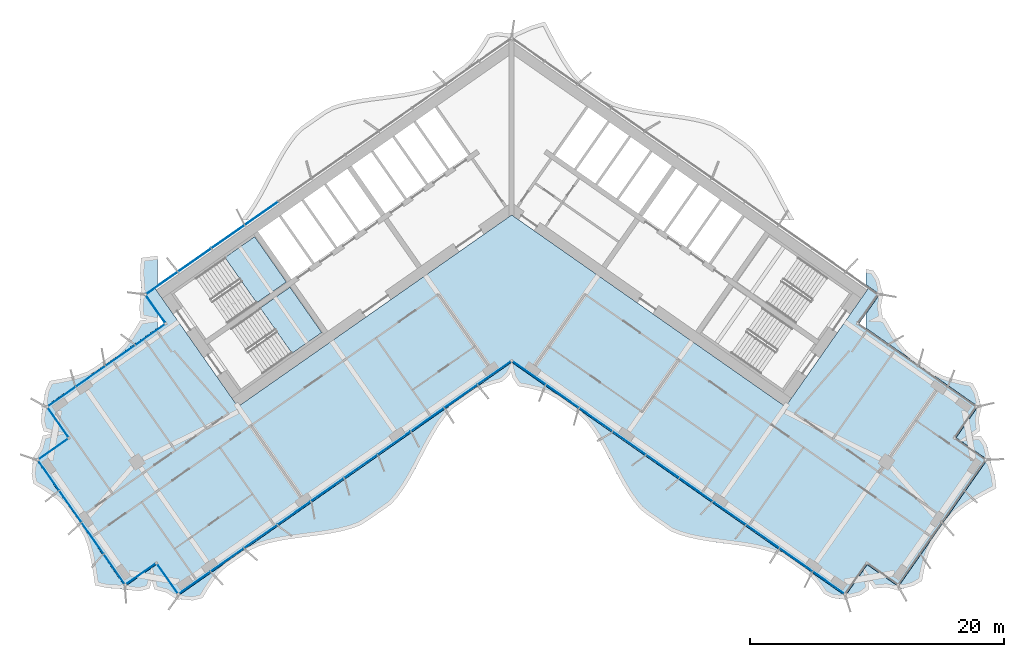
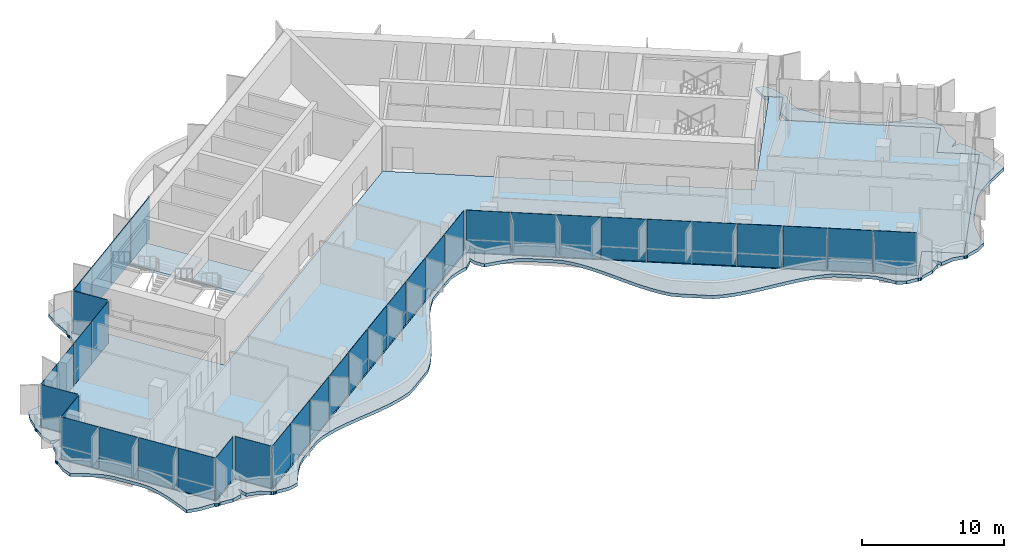
# One storey, part 12 of 23: 37 plates, 4 slabs, 4 elements without a shape of their own.
"""IFC4 building model written with IfcOpenShell, lengths in metres."""

from ifc_helpers import new_model, si_unit, direction, frame, origin, origin_2d, place, context, subcontext, project, spatial, polyline, rectangle, outline, extrude, material, layer, layer_set, type_object, element, aggregate, save


model = new_model("IFC4")

# Units and contexts
model_context = context("Model", 3, precision=1e-05, world=origin(), true_north=direction((0.0, 1.0)))
body_context = subcontext(model_context, "Body", "Model", "MODEL_VIEW")
ifc_project = project(units=[si_unit("LENGTHUNIT", "METRE"), si_unit("AREAUNIT", "SQUARE_METRE"), si_unit("VOLUMEUNIT", "CUBIC_METRE"), si_unit("PLANEANGLEUNIT", "RADIAN"), si_unit("MASSUNIT", "GRAM", prefix="KILO")], contexts=[model_context])

# Site, building, storey
site_placement = place(None, origin())
site = spatial("IfcSite", under=ifc_project, at=site_placement, CompositionType="ELEMENT")
building_placement = place(site_placement, origin())
building = spatial("IfcBuilding", under=site, at=building_placement, Name="Tel Ilan Convention Tower", CompositionType="ELEMENT")
storey_placement = place(building_placement, frame((0.0, 0.0, 171.0)))
storey = spatial("IfcBuildingStorey", under=building, at=storey_placement, Name="L39", CompositionType="ELEMENT", Elevation=171.0)

# Curtain wall, plates
ifc_material_1 = material(Name="Aluminium, bronze anodised", Category="aluminium")
curtain_wall_type_1 = type_object("IfcCurtainWallType", Name="CW4 STICK CURTAIN WALL, OFFICE TINTED GLASS", PredefinedType="NOTDEFINED", material=ifc_material_1)
curtain_wall_1_placement = place(storey_placement, origin())
curtain_wall_1 = element("IfcCurtainWall", 1, at=curtain_wall_1_placement, inside=storey, type_object=curtain_wall_type_1, Name="Curtain wall CW4-31.02", PredefinedType="NOTDEFINED")
ifc_material_2 = material(Name="Glass, bronze tinted, two-ply", Category="glass")
ifc_layer_1 = layer(ifc_material_2, 0.028076171875)
ifc_layer_set_1 = layer_set([ifc_layer_1], Name="CW GLASS PANEL 28")
plate_type_1 = type_object("IfcPlateType", Name="CW GLASS PANEL 28", PredefinedType="CURTAIN_PANEL", material=ifc_layer_set_1)
plate_1_placement = place(storey_placement, frame((-28.450927734375, -10.6435546875, 0.0), z_axis=(0.0, 0.0, 1.0), x_axis=(-0.819152044289, -0.573576436351, 0.0)))
plate_1 = element("IfcPlate", 2, at=plate_1_placement, type_object=plate_type_1, Name="Glass panel", PredefinedType="CURTAIN_PANEL", context=body_context, shape_type="SweptSolid", body=[
    extrude(rectangle(XDim=2.819091796875, YDim=0.028076171875, at=origin_2d()), origin(), (0.0, 0.0, 1.0), 3.6201171875),
])
plate_2_placement = place(storey_placement, frame((-30.79736328125, -12.28662109375, 0.0), z_axis=(0.0, 0.0, 1.0), x_axis=(-0.819152044289, -0.573576436351, 0.0)))
plate_2 = element("IfcPlate", 3, at=plate_2_placement, type_object=plate_type_1, Name="Glass panel", PredefinedType="CURTAIN_PANEL", context=body_context, shape_type="SweptSolid", body=[
    extrude(rectangle(XDim=2.7900390625, YDim=0.028076171875, at=origin_2d()), origin(), (0.0, 0.0, 1.0), 3.6201171875),
])
plate_3_placement = place(storey_placement, frame((-33.1318359375, -13.92138671875, 0.0), z_axis=(0.0, 0.0, 1.0), x_axis=(-0.819152044289, -0.573576436351, 0.0)))
plate_3 = element("IfcPlate", 4, at=plate_3_placement, type_object=plate_type_1, Name="Glass panel", PredefinedType="CURTAIN_PANEL", context=body_context, shape_type="SweptSolid", body=[
    extrude(rectangle(XDim=2.7900390625, YDim=0.028076171875, at=origin_2d()), origin(), (0.0, 0.0, 1.0), 3.6201171875),
])
plate_4_placement = place(storey_placement, frame((-35.427978515625, -15.529052734375, 0.0), z_axis=(0.0, 0.0, 1.0), x_axis=(-0.819152044289, -0.573576436351, 0.0)))
plate_4 = element("IfcPlate", 5, at=plate_4_placement, type_object=plate_type_1, Name="Glass panel", PredefinedType="CURTAIN_PANEL", context=body_context, shape_type="SweptSolid", body=[
    extrude(rectangle(XDim=2.696044921875, YDim=0.028076171875, at=origin_2d()), origin(), (0.0, 0.0, 1.0), 3.6201171875),
])
plate_5_placement = place(storey_placement, frame((-35.713623046875, -17.51318359375, 0.0), z_axis=(0.0, 0.0, 1.0), x_axis=(0.573576436351, -0.819152044289, 0.0)))
plate_5 = element("IfcPlate", 6, at=plate_5_placement, type_object=plate_type_1, Name="Glass panel", PredefinedType="CURTAIN_PANEL", context=body_context, shape_type="SweptSolid", body=[
    extrude(rectangle(XDim=2.875, YDim=0.028076171875, at=origin_2d()), origin(), (0.0, 0.0, 1.0), 3.6201171875),
])
plate_6_placement = place(storey_placement, frame((-36.09130859375, -19.656005859375, 0.0), z_axis=(0.0, 0.0, 1.0), x_axis=(-0.819152044289, -0.573576436351, 0.0)))
plate_6 = element("IfcPlate", 7, at=plate_6_placement, type_object=plate_type_1, Name="Glass panel", PredefinedType="CURTAIN_PANEL", context=body_context, shape_type="SweptSolid", body=[
    extrude(rectangle(XDim=2.875, YDim=0.028076171875, at=origin_2d()), origin(), (0.0, 0.0, 1.0), 3.6201171875),
])
plate_7_placement = place(storey_placement, frame((-36.4443359375, -21.699951171875, 0.0), z_axis=(0.0, 0.0, 1.0), x_axis=(0.573576436351, -0.819152044289, 0.0)))
plate_7 = element("IfcPlate", 8, at=plate_7_placement, type_object=plate_type_1, Name="Glass panel", PredefinedType="CURTAIN_PANEL", context=body_context, shape_type="SweptSolid", body=[
    extrude(rectangle(XDim=2.89599609375, YDim=0.028076171875, at=origin_2d()), origin(), (0.0, 0.0, 1.0), 3.6201171875),
])
plate_8_placement = place(storey_placement, frame((-34.721923828125, -24.159912109375, 0.0), z_axis=(0.0, 0.0, 1.0), x_axis=(0.573576436351, -0.819152044289, 0.0)))
plate_8 = element("IfcPlate", 9, at=plate_8_placement, type_object=plate_type_1, Name="Glass panel", PredefinedType="CURTAIN_PANEL", context=body_context, shape_type="SweptSolid", body=[
    extrude(rectangle(XDim=2.989990234375, YDim=0.028076171875, at=origin_2d()), origin(), (0.0, 0.0, 1.0), 3.6201171875),
])
plate_9_placement = place(storey_placement, frame((-32.972412109375, -26.658203125, 0.0), z_axis=(0.0, 0.0, 1.0), x_axis=(0.573576436351, -0.819152044289, 0.0)))
plate_9 = element("IfcPlate", 10, at=plate_9_placement, type_object=plate_type_1, Name="Glass panel", PredefinedType="CURTAIN_PANEL", context=body_context, shape_type="SweptSolid", body=[
    extrude(rectangle(XDim=2.989990234375, YDim=0.028076171875, at=origin_2d()), origin(), (0.0, 0.0, 1.0), 3.6201171875),
])
plate_10_placement = place(storey_placement, frame((-31.25, -29.1181640625, 0.0), z_axis=(0.0, 0.0, 1.0), x_axis=(0.573576436351, -0.819152044289, 0.0)))
plate_10 = element("IfcPlate", 11, at=plate_10_placement, type_object=plate_type_1, Name="Glass panel", PredefinedType="CURTAIN_PANEL", context=body_context, shape_type="SweptSolid", body=[
    extrude(rectangle(XDim=2.89599609375, YDim=0.028076171875, at=origin_2d()), origin(), (0.0, 0.0, 1.0), 3.6201171875),
])
plate_11_placement = place(storey_placement, frame((-29.20849609375, -29.48583984375, 0.0), z_axis=(0.0, 0.0, 1.0), x_axis=(0.819152044289, 0.573576436351, 0.0)))
plate_11 = element("IfcPlate", 12, at=plate_11_placement, type_object=plate_type_1, Name="Glass panel", PredefinedType="CURTAIN_PANEL", context=body_context, shape_type="SweptSolid", body=[
    extrude(rectangle(XDim=2.875, YDim=0.028076171875, at=origin_2d()), origin(), (0.0, 0.0, 1.0), 3.6201171875),
])
plate_12_placement = place(storey_placement, frame((-27.065673828125, -29.863525390625, 0.0), z_axis=(0.0, 0.0, 1.0), x_axis=(0.573576436351, -0.819152044289, 0.0)))
plate_12 = element("IfcPlate", 13, at=plate_12_placement, type_object=plate_type_1, Name="Glass panel", PredefinedType="CURTAIN_PANEL", context=body_context, shape_type="SweptSolid", body=[
    extrude(rectangle(XDim=2.875, YDim=0.028076171875, at=origin_2d()), origin(), (0.0, 0.0, 1.0), 3.6201171875),
])
plate_13_placement = place(storey_placement, frame((-24.958251953125, -30.172119140625, 0.0), z_axis=(0.0, 0.0, 1.0), x_axis=(0.819152044289, 0.573576436351, 0.0)))
plate_13 = element("IfcPlate", 14, at=plate_13_placement, type_object=plate_type_1, Name="Glass panel", PredefinedType="CURTAIN_PANEL", context=body_context, shape_type="SweptSolid", body=[
    extrude(rectangle(XDim=3.05078125, YDim=0.028076171875, at=origin_2d()), origin(), (0.0, 0.0, 1.0), 3.6201171875),
])
plate_14_placement = place(storey_placement, frame((-22.37158203125, -28.36083984375, 0.0), z_axis=(0.0, 0.0, 1.0), x_axis=(0.819152044289, 0.573576436351, 0.0)))
plate_14 = element("IfcPlate", 15, at=plate_14_placement, type_object=plate_type_1, Name="Glass panel", PredefinedType="CURTAIN_PANEL", context=body_context, shape_type="SweptSolid", body=[
    extrude(rectangle(XDim=3.144775390625, YDim=0.028076171875, at=origin_2d()), origin(), (0.0, 0.0, 1.0), 3.6201171875),
])
plate_15_placement = place(storey_placement, frame((-19.746337890625, -26.522705078125, 0.0), z_axis=(0.0, 0.0, 1.0), x_axis=(0.819152044289, 0.573576436351, 0.0)))
plate_15 = element("IfcPlate", 16, at=plate_15_placement, type_object=plate_type_1, Name="Glass panel", PredefinedType="CURTAIN_PANEL", context=body_context, shape_type="SweptSolid", body=[
    extrude(rectangle(XDim=3.144775390625, YDim=0.028076171875, at=origin_2d()), origin(), (0.0, 0.0, 1.0), 3.6201171875),
])
plate_16_placement = place(storey_placement, frame((-17.12109375, -24.684326171875, 0.0), z_axis=(0.0, 0.0, 1.0), x_axis=(0.819152044289, 0.573576436351, 0.0)))
plate_16 = element("IfcPlate", 17, at=plate_16_placement, type_object=plate_type_1, Name="Glass panel", PredefinedType="CURTAIN_PANEL", context=body_context, shape_type="SweptSolid", body=[
    extrude(rectangle(XDim=3.144775390625, YDim=0.028076171875, at=origin_2d()), origin(), (0.0, 0.0, 1.0), 3.6201171875),
])
plate_17_placement = place(storey_placement, frame((-14.49609375, -22.84619140625, 0.0), z_axis=(0.0, 0.0, 1.0), x_axis=(0.819152044289, 0.573576436351, 0.0)))
plate_17 = element("IfcPlate", 18, at=plate_17_placement, type_object=plate_type_1, Name="Glass panel", PredefinedType="CURTAIN_PANEL", context=body_context, shape_type="SweptSolid", body=[
    extrude(rectangle(XDim=3.144775390625, YDim=0.028076171875, at=origin_2d()), origin(), (0.0, 0.0, 1.0), 3.6201171875),
])
plate_18_placement = place(storey_placement, frame((-11.870849609375, -21.008056640625, 0.0), z_axis=(0.0, 0.0, 1.0), x_axis=(0.819152044289, 0.573576436351, 0.0)))
plate_18 = element("IfcPlate", 19, at=plate_18_placement, type_object=plate_type_1, Name="Glass panel", PredefinedType="CURTAIN_PANEL", context=body_context, shape_type="SweptSolid", body=[
    extrude(rectangle(XDim=3.144775390625, YDim=0.028076171875, at=origin_2d()), origin(), (0.0, 0.0, 1.0), 3.6201171875),
])
plate_19_placement = place(storey_placement, frame((-9.24560546875, -19.169921875, 0.0), z_axis=(0.0, 0.0, 1.0), x_axis=(0.819152044289, 0.573576436351, 0.0)))
plate_19 = element("IfcPlate", 20, at=plate_19_placement, type_object=plate_type_1, Name="Glass panel", PredefinedType="CURTAIN_PANEL", context=body_context, shape_type="SweptSolid", body=[
    extrude(rectangle(XDim=3.144775390625, YDim=0.028076171875, at=origin_2d()), origin(), (0.0, 0.0, 1.0), 3.6201171875),
])
plate_20_placement = place(storey_placement, frame((-6.620361328125, -17.331787109375, 0.0), z_axis=(0.0, 0.0, 1.0), x_axis=(0.819152044289, 0.573576436351, 0.0)))
plate_20 = element("IfcPlate", 21, at=plate_20_placement, type_object=plate_type_1, Name="Glass panel", PredefinedType="CURTAIN_PANEL", context=body_context, shape_type="SweptSolid", body=[
    extrude(rectangle(XDim=3.144775390625, YDim=0.028076171875, at=origin_2d()), origin(), (0.0, 0.0, 1.0), 3.6201171875),
])
plate_21_placement = place(storey_placement, frame((-3.9951171875, -15.493408203125, 0.0), z_axis=(0.0, 0.0, 1.0), x_axis=(0.819152044289, 0.573576436351, 0.0)))
plate_21 = element("IfcPlate", 22, at=plate_21_placement, type_object=plate_type_1, Name="Glass panel", PredefinedType="CURTAIN_PANEL", context=body_context, shape_type="SweptSolid", body=[
    extrude(rectangle(XDim=3.144775390625, YDim=0.028076171875, at=origin_2d()), origin(), (0.0, 0.0, 1.0), 3.6201171875),
])
plate_22_placement = place(storey_placement, frame((-1.370361328125, -13.655517578125, 0.0), z_axis=(0.0, 0.0, 1.0), x_axis=(0.819152044289, 0.573576436351, 0.0)))
plate_22 = element("IfcPlate", 23, at=plate_22_placement, type_object=plate_type_1, Name="Glass panel", PredefinedType="CURTAIN_PANEL", context=body_context, shape_type="SweptSolid", body=[
    extrude(rectangle(XDim=3.143798828125, YDim=0.028076171875, at=origin_2d()), origin(), (0.0, 0.0, 1.0), 3.6201171875),
])
plate_23_placement = place(storey_placement, frame((1.3818359375, -13.66357421875, 0.0), z_axis=(0.0, 0.0, 1.0), x_axis=(0.819152044289, -0.573576436351, 0.0)))
plate_23 = element("IfcPlate", 24, at=plate_23_placement, type_object=plate_type_1, Name="Glass panel", PredefinedType="CURTAIN_PANEL", context=body_context, shape_type="SweptSolid", body=[
    extrude(rectangle(XDim=3.11572265625, YDim=0.028076171875, at=origin_2d()), origin(), (0.0, 0.0, 1.0), 3.6201171875),
])
plate_24_placement = place(storey_placement, frame((3.9951171875, -15.493408203125, 0.0), z_axis=(0.0, 0.0, 1.0), x_axis=(0.819152044289, -0.573576436351, 0.0)))
plate_24 = element("IfcPlate", 25, at=plate_24_placement, type_object=plate_type_1, Name="Glass panel", PredefinedType="CURTAIN_PANEL", context=body_context, shape_type="SweptSolid", body=[
    extrude(rectangle(XDim=3.144775390625, YDim=0.028076171875, at=origin_2d()), origin(), (0.0, 0.0, 1.0), 3.6201171875),
])
plate_25_placement = place(storey_placement, frame((6.620361328125, -17.331787109375, 0.0), z_axis=(0.0, 0.0, 1.0), x_axis=(0.819152044289, -0.573576436351, 0.0)))
plate_25 = element("IfcPlate", 26, at=plate_25_placement, type_object=plate_type_1, Name="Glass panel", PredefinedType="CURTAIN_PANEL", context=body_context, shape_type="SweptSolid", body=[
    extrude(rectangle(XDim=3.144775390625, YDim=0.028076171875, at=origin_2d()), origin(), (0.0, 0.0, 1.0), 3.6201171875),
])
plate_26_placement = place(storey_placement, frame((9.24560546875, -19.169921875, 0.0), z_axis=(0.0, 0.0, 1.0), x_axis=(0.819152044289, -0.573576436351, 0.0)))
plate_26 = element("IfcPlate", 27, at=plate_26_placement, type_object=plate_type_1, Name="Glass panel", PredefinedType="CURTAIN_PANEL", context=body_context, shape_type="SweptSolid", body=[
    extrude(rectangle(XDim=3.144775390625, YDim=0.028076171875, at=origin_2d()), origin(), (0.0, 0.0, 1.0), 3.6201171875),
])
plate_27_placement = place(storey_placement, frame((11.870849609375, -21.008056640625, 0.0), z_axis=(0.0, 0.0, 1.0), x_axis=(0.819152044289, -0.573576436351, 0.0)))
plate_27 = element("IfcPlate", 28, at=plate_27_placement, type_object=plate_type_1, Name="Glass panel", PredefinedType="CURTAIN_PANEL", context=body_context, shape_type="SweptSolid", body=[
    extrude(rectangle(XDim=3.144775390625, YDim=0.028076171875, at=origin_2d()), origin(), (0.0, 0.0, 1.0), 3.6201171875),
])
plate_28_placement = place(storey_placement, frame((14.49609375, -22.84619140625, 0.0), z_axis=(0.0, 0.0, 1.0), x_axis=(0.819152044289, -0.573576436351, 0.0)))
plate_28 = element("IfcPlate", 29, at=plate_28_placement, type_object=plate_type_1, Name="Glass panel", PredefinedType="CURTAIN_PANEL", context=body_context, shape_type="SweptSolid", body=[
    extrude(rectangle(XDim=3.144775390625, YDim=0.028076171875, at=origin_2d()), origin(), (0.0, 0.0, 1.0), 3.6201171875),
])
plate_29_placement = place(storey_placement, frame((17.12109375, -24.684326171875, 0.0), z_axis=(0.0, 0.0, 1.0), x_axis=(0.819152044289, -0.573576436351, 0.0)))
plate_29 = element("IfcPlate", 30, at=plate_29_placement, type_object=plate_type_1, Name="Glass panel", PredefinedType="CURTAIN_PANEL", context=body_context, shape_type="SweptSolid", body=[
    extrude(rectangle(XDim=3.144775390625, YDim=0.028076171875, at=origin_2d()), origin(), (0.0, 0.0, 1.0), 3.6201171875),
])
plate_30_placement = place(storey_placement, frame((19.746337890625, -26.522705078125, 0.0), z_axis=(0.0, 0.0, 1.0), x_axis=(0.819152044289, -0.573576436351, 0.0)))
plate_30 = element("IfcPlate", 31, at=plate_30_placement, type_object=plate_type_1, Name="Glass panel", PredefinedType="CURTAIN_PANEL", context=body_context, shape_type="SweptSolid", body=[
    extrude(rectangle(XDim=3.144775390625, YDim=0.028076171875, at=origin_2d()), origin(), (0.0, 0.0, 1.0), 3.6201171875),
])
plate_31_placement = place(storey_placement, frame((22.37158203125, -28.36083984375, 0.0), z_axis=(0.0, 0.0, 1.0), x_axis=(0.819152044289, -0.573576436351, 0.0)))
plate_31 = element("IfcPlate", 32, at=plate_31_placement, type_object=plate_type_1, Name="Glass panel", PredefinedType="CURTAIN_PANEL", context=body_context, shape_type="SweptSolid", body=[
    extrude(rectangle(XDim=3.144775390625, YDim=0.028076171875, at=origin_2d()), origin(), (0.0, 0.0, 1.0), 3.6201171875),
])
plate_32_placement = place(storey_placement, frame((24.958251953125, -30.172119140625, 0.0), z_axis=(0.0, 0.0, 1.0), x_axis=(0.819152044289, -0.573576436351, 0.0)))
plate_32 = element("IfcPlate", 33, at=plate_32_placement, type_object=plate_type_1, Name="Glass panel", PredefinedType="CURTAIN_PANEL", context=body_context, shape_type="SweptSolid", body=[
    extrude(rectangle(XDim=3.05078125, YDim=0.028076171875, at=origin_2d()), origin(), (0.0, 0.0, 1.0), 3.6201171875),
])
aggregate(curtain_wall_1, [plate_1, plate_2, plate_3, plate_4, plate_5, plate_6, plate_7, plate_8, plate_9, plate_10, plate_11, plate_12, plate_13, plate_14, plate_15, plate_16, plate_17, plate_18, plate_19, plate_20, plate_21, plate_22, plate_23, plate_24, plate_25, plate_26, plate_27, plate_28, plate_29, plate_30, plate_31, plate_32])

ifc_material_3 = material(Name="Aluminium, bronze anodised", Category="aluminium")
curtain_wall_type_2 = type_object("IfcCurtainWallType", Name="CW2 STICK CURTAIN WALL, SPANDREL PANELS", PredefinedType="NOTDEFINED", material=ifc_material_3)
curtain_wall_2_placement = place(storey_placement, origin())
curtain_wall_2 = element("IfcCurtainWall", 34, at=curtain_wall_2_placement, inside=storey, type_object=curtain_wall_type_2, Name="Curtain wall CW2-31.01", PredefinedType="NOTDEFINED")
ifc_material_4 = material(Name="Aluminium composite panel, bronze anodised", Category="aluminium")
ifc_layer_2 = layer(ifc_material_4, 0.06005859375)
ifc_layer_set_2 = layer_set([ifc_layer_2], Name="CW SPANDREL PANEL 60")
plate_type_2 = type_object("IfcPlateType", Name="CW SPANDREL PANEL 60", PredefinedType="CURTAIN_PANEL", material=ifc_layer_set_2)
plate_33_placement = place(storey_placement, frame((-19.687255859375, -1.089111328125, 0.0), z_axis=(0.0, 0.0, 1.0), x_axis=(-0.819152044289, -0.573576436351, 0.0)))
plate_33 = element("IfcPlate", 35, at=plate_33_placement, type_object=plate_type_2, Name="Spandrel panel", PredefinedType="CURTAIN_PANEL", context=body_context, shape_type="SweptSolid", body=[
    extrude(rectangle(XDim=3.15380859375, YDim=0.06005859375, at=origin_2d()), origin(), (0.0, 0.0, 1.0), 3.6201171875),
])
plate_34_placement = place(storey_placement, frame((-22.31982421875, -2.9326171875, 0.0), z_axis=(0.0, 0.0, 1.0), x_axis=(-0.819152044289, -0.573576436351, 0.0)))
plate_34 = element("IfcPlate", 36, at=plate_34_placement, type_object=plate_type_2, Name="Spandrel panel", PredefinedType="CURTAIN_PANEL", context=body_context, shape_type="SweptSolid", body=[
    extrude(rectangle(XDim=3.15380859375, YDim=0.06005859375, at=origin_2d()), origin(), (0.0, 0.0, 1.0), 3.6201171875),
])
plate_35_placement = place(storey_placement, frame((-24.95263671875, -4.77587890625, 0.0), z_axis=(0.0, 0.0, 1.0), x_axis=(-0.819152044289, -0.573576436351, 0.0)))
plate_35 = element("IfcPlate", 37, at=plate_35_placement, type_object=plate_type_2, Name="Spandrel panel", PredefinedType="CURTAIN_PANEL", context=body_context, shape_type="SweptSolid", body=[
    extrude(rectangle(XDim=3.15380859375, YDim=0.06005859375, at=origin_2d()), origin(), (0.0, 0.0, 1.0), 3.6201171875),
])
plate_36_placement = place(storey_placement, frame((-27.5400390625, -6.587646484375, 0.0), z_axis=(0.0, 0.0, 1.0), x_axis=(-0.819152044289, -0.573576436351, 0.0)))
plate_36 = element("IfcPlate", 38, at=plate_36_placement, type_object=plate_type_2, Name="Spandrel panel", PredefinedType="CURTAIN_PANEL", context=body_context, shape_type="SweptSolid", body=[
    extrude(rectangle(XDim=3.0439453125, YDim=0.06005859375, at=origin_2d()), origin(), (0.0, 0.0, 1.0), 3.6201171875),
])
plate_37_placement = place(storey_placement, frame((-28.033935546875, -8.60546875, 0.0), z_axis=(0.0, 0.0, 1.0), x_axis=(0.573576436351, -0.819152044289, 0.0)))
plate_37 = element("IfcPlate", 39, at=plate_37_placement, type_object=plate_type_2, Name="Spandrel panel", PredefinedType="CURTAIN_PANEL", context=body_context, shape_type="SweptSolid", body=[
    extrude(rectangle(XDim=2.658935546875, YDim=0.06005859375, at=origin_2d()), origin(), (0.0, 0.0, 1.0), 3.6201171875),
])
aggregate(curtain_wall_2, [plate_33, plate_34, plate_35, plate_36, plate_37])

# Stair, slab
ifc_material_5 = material(Name="Concrete C40/50", Category="concrete")
stair_type = type_object("IfcStairType", Name="Pressurised Exit Stair 22 risers 177 mm", PredefinedType="HALF_TURN_STAIR", material=ifc_material_5)
stair_1_placement = place(storey_placement, origin())
stair_1 = element("IfcStair", 40, at=stair_1_placement, inside=storey, type_object=stair_type, Name="L39 Pressurised Stair S1", PredefinedType="HALF_TURN_STAIR")
ifc_material_6 = material(Name="Concrete C40/50", Category="concrete")
ifc_layer_3 = layer(ifc_material_6, 0.199951171875)
ifc_layer_set_3 = layer_set([ifc_layer_3], Name="Concrete Stair Landing 200 mm C40/50")
slab_type_1 = type_object("IfcSlabType", Name="Concrete Stair Landing 200 mm", PredefinedType="LANDING", material=ifc_layer_set_3)
slab_1_placement = place(storey_placement, frame((0.0, 0.0, 1.75)))
slab_1 = element("IfcSlab", 41, at=slab_1_placement, type_object=slab_type_1, Name="S1 landing 1", PredefinedType="LANDING", context=body_context, shape_type="SweptSolid", body=[
    extrude(outline(polyline([(-20.066650390625, -8.130126953125), (-17.7314453125, -6.494873046875), (-20.226318359375, -2.931640625), (-22.561767578125, -4.566650390625), (-20.066650390625, -8.130126953125)])), origin(), (0.0, 0.0, 1.0), 0.199951171875),
])
aggregate(stair_1, [slab_1])

stair_2_placement = place(storey_placement, origin())
stair_2 = element("IfcStair", 42, at=stair_2_placement, inside=storey, type_object=stair_type, Name="L39 Pressurised Stair S2", PredefinedType="HALF_TURN_STAIR")
slab_2_placement = place(storey_placement, frame((0.0, 0.0, 1.75)))
slab_2 = element("IfcSlab", 43, at=slab_2_placement, type_object=slab_type_1, Name="S2 landing 1", PredefinedType="LANDING", context=body_context, shape_type="SweptSolid", body=[
    extrude(outline(polyline([(-17.28466796875, -12.10302734375), (-14.949462890625, -10.4677734375), (-17.444580078125, -6.904541015625), (-19.77978515625, -8.53955078125), (-17.28466796875, -12.10302734375)])), origin(), (0.0, 0.0, 1.0), 0.199951171875),
])
aggregate(stair_2, [slab_2])

# Slabs
ifc_material_7 = material(Name="Concrete C40/50", Category="concrete")
ifc_layer_4 = layer(ifc_material_7, 0.280029296875)
ifc_layer_set_4 = layer_set([ifc_layer_4], Name="Edge Ledge Slab 280 mm C40/50")
slab_type_2 = type_object("IfcSlabType", Name="Edge Ledge Slab 280 mm C40/50", PredefinedType="FLOOR", material=ifc_layer_set_4)
slab_3_placement = place(storey_placement, frame((0.0, 0.0, -0.280029296875)))
element("IfcSlab", 44, at=slab_3_placement, inside=storey, type_object=slab_type_2, Name="L39 edge ledge 1", PredefinedType="FLOOR", context=body_context, shape_type="SweptSolid", body=[
    extrude(outline(polyline([(-29.29443359375, -8.548583984375), (-29.20458984375, -7.631103515625), (-29.199951171875, -7.6279296875), (-29.236083984375, -7.57373046875), (-29.2587890625, -7.458984375), (-29.236083984375, -7.34423828125), (-29.1708984375, -7.246826171875), (-29.127685546875, -7.218017578125), (-29.130859375, -7.21337890625), (-29.231689453125, -5.78515625), (-29.161865234375, -4.60107421875), (-28.33935546875, -4.49169921875), (-27.875, -4.4326171875), (-27.875, -6.7001953125), (-28.958740234375, -7.458984375), (-27.875, -9.007080078125), (-27.875, -10.1181640625), (-36.691162109375, -16.29150390625), (-34.970458984375, -18.748779296875), (-37.427978515625, -20.469482421875), (-30.43017578125, -30.46337890625), (-27.972900390625, -28.74267578125), (-26.251953125, -31.199951171875), (0.0, -12.818115234375), (26.251953125, -31.199951171875), (27.972900390625, -28.74267578125), (30.43017578125, -30.46337890625), (37.427978515625, -20.469482421875), (34.970458984375, -18.748779296875), (36.691162109375, -16.29150390625), (27.875, -10.1181640625), (27.875, -9.007080078125), (28.958740234375, -7.458984375), (27.875, -6.7001953125), (27.875, -5.485595703125), (28.465576171875, -5.595458984375), (28.894287109375, -6.267333984375), (29.130859375, -7.21337890625), (29.127685546875, -7.218017578125), (29.1708984375, -7.246826171875), (29.236083984375, -7.34423828125), (29.2587890625, -7.458984375), (29.236083984375, -7.57373046875), (29.199951171875, -7.6279296875), (29.20458984375, -7.631103515625), (29.044921875, -8.373779296875), (29.194091796875, -9.332763671875), (29.132080078125, -9.36474609375), (29.356201171875, -9.3759765625), (29.74560546875, -10.06201171875), (30.151123046875, -10.72509765625), (30.5849609375, -11.347900390625), (31.052978515625, -11.92138671875), (31.6103515625, -12.36767578125), (33.361328125, -13.59375), (34.017333984375, -13.899169921875), (34.732421875, -14.1201171875), (35.47900390625, -14.2958984375), (36.246826171875, -14.44140625), (36.63134765625, -15.134521484375), (36.86328125, -16.045654296875), (36.85986328125, -16.05029296875), (36.9033203125, -16.079345703125), (36.96826171875, -16.176513671875), (36.9912109375, -16.29150390625), (36.96826171875, -16.40625), (36.93212890625, -16.460205078125), (36.93701171875, -16.46337890625), (36.748779296875, -17.24755859375), (36.839599609375, -18.2265625), (36.20458984375, -18.665283203125), (36.905517578125, -18.6005859375), (37.3603515625, -19.258544921875), (37.599853515625, -20.223876953125), (37.5966796875, -20.228515625), (37.639892578125, -20.257568359375), (37.705078125, -20.354736328125), (37.727783203125, -20.469482421875), (37.705078125, -20.58447265625), (37.6689453125, -20.638427734375), (37.673583984375, -20.6416015625), (38.010498046875, -21.753662109375), (38.13427734375, -22.71630859375), (37.423828125, -23.09521484375), (36.7236328125, -23.48095703125), (36.052734375, -23.88720703125), (35.421630859375, -24.3212890625), (34.83984375, -24.7900390625), (34.380615234375, -25.344482421875), (33.145751953125, -27.108154296875), (32.83154296875, -27.764404296875), (32.607177734375, -28.4833984375), (32.42919921875, -29.234619140625), (32.28369140625, -30.0087890625), (31.594482421875, -30.402587890625), (30.676025390625, -30.635498046875), (30.67138671875, -30.632080078125), (30.642333984375, -30.67529296875), (30.544921875, -30.740478515625), (30.43017578125, -30.76318359375), (30.3154296875, -30.740478515625), (30.261474609375, -30.704345703125), (30.25830078125, -30.708984375), (29.47412109375, -30.52099609375), (28.4951171875, -30.61181640625), (28.056396484375, -29.976806640625), (28.12109375, -30.677490234375), (27.463134765625, -31.132568359375), (26.497802734375, -31.3720703125), (26.4931640625, -31.368896484375), (26.464111328125, -31.412109375), (26.36669921875, -31.477294921875), (26.251953125, -31.5), (26.13720703125, -31.477294921875), (26.083251953125, -31.441162109375), (26.080078125, -31.44580078125), (25.2314453125, -31.358154296875), (24.565673828125, -31.009765625), (24.111328125, -30.35888671875), (23.619384765625, -29.76220703125), (23.02734375, -29.308349609375), (21.19580078125, -28.02587890625), (20.475830078125, -27.7548828125), (19.716064453125, -27.540283203125), (18.924072265625, -27.372314453125), (18.10791015625, -27.23828125), (17.27685546875, -27.1259765625), (16.44091796875, -27.0205078125), (15.610107421875, -26.9072265625), (14.794677734375, -26.7724609375), (14.003662109375, -26.602783203125), (13.245361328125, -26.386474609375), (12.530029296875, -26.108642578125), (10.698486328125, -24.826171875), (10.110107421875, -24.3671875), (9.61962890625, -23.768310546875), (9.166748046875, -23.115478515625), (8.744384765625, -22.41943359375), (8.343994140625, -21.69189453125), (7.956298828125, -20.9462890625), (7.57080078125, -20.197509765625), (7.177490234375, -19.45947265625), (6.76708984375, -18.74658203125), (6.329833984375, -18.071533203125), (5.8583984375, -17.445556640625), (5.322509765625, -16.9111328125), (3.490966796875, -15.62890625), (2.833251953125, -15.268798828125), (2.093017578125, -15.0263671875), (1.31689453125, -14.835693359375), (0.51220703125, -14.685546875), (0.06640625, -14.0224609375), (-0.055419921875, -13.53271484375), (-0.200439453125, -13.831298828125), (-0.755615234375, -14.337890625), (-1.5224609375, -14.5419921875), (-2.251708984375, -14.800048828125), (-2.880615234375, -15.201416015625), (-4.7119140625, -16.48388671875), (-5.212890625, -17.067626953125), (-5.67431640625, -17.708251953125), (-6.103271484375, -18.39501953125), (-6.508056640625, -19.1162109375), (-6.898193359375, -19.858642578125), (-7.283203125, -20.608154296875), (-7.673583984375, -21.35009765625), (-8.0791015625, -22.0703125), (-8.509033203125, -22.755615234375), (-8.9716796875, -23.39404296875), (-9.4775390625, -23.97119140625), (-11.30908203125, -25.253662109375), (-11.941650390625, -25.649658203125), (-12.672119140625, -25.90576171875), (-13.4404296875, -26.10791015625), (-14.239013671875, -26.266845703125), (-15.059814453125, -26.394287109375), (-15.892822265625, -26.503662109375), (-16.728515625, -26.609619140625), (-17.556396484375, -26.726806640625), (-18.36669921875, -26.86865234375), (-19.150634765625, -27.048583984375), (-19.900146484375, -27.277587890625), (-20.58544921875, -27.598388671875), (-22.4169921875, -28.880859375), (-22.980224609375, -29.375732421875), (-23.4609375, -29.98828125), (-23.90576171875, -30.652587890625), (-24.322021484375, -31.357421875), (-25.097412109375, -31.54931640625), (-26.080078125, -31.44580078125), (-26.083251953125, -31.441162109375), (-26.13720703125, -31.477294921875), (-26.251953125, -31.5), (-26.36669921875, -31.477294921875), (-26.464111328125, -31.412109375), (-26.4931640625, -31.368896484375), (-26.497802734375, -31.3720703125), (-27.170166015625, -30.92724609375), (-28.12109375, -30.677490234375), (-28.31640625, -29.930908203125), (-28.4951171875, -30.61181640625), (-29.26904296875, -30.814208984375), (-30.25830078125, -30.708984375), (-30.261474609375, -30.704345703125), (-30.3154296875, -30.740478515625), (-30.43017578125, -30.76318359375), (-30.544921875, -30.740478515625), (-30.642333984375, -30.67529296875), (-30.67138671875, -30.632080078125), (-30.676025390625, -30.635498046875), (-31.836181640625, -30.57177734375), (-32.782958984375, -30.358642578125), (-32.89599609375, -29.5615234375), (-33.01904296875, -28.771728515625), (-33.17138671875, -28.002197265625), (-33.363525390625, -27.2607421875), (-33.60498046875, -26.5537109375), (-33.968994140625, -25.9326171875), (-35.203857421875, -24.1689453125), (-35.712890625, -23.649169921875), (-36.311767578125, -23.1923828125), (-36.95703125, -22.768310546875), (-37.634765625, -22.36669921875), (-37.76904296875, -21.584716796875), (-37.673583984375, -20.6416015625), (-37.6689453125, -20.638427734375), (-37.705078125, -20.58447265625), (-37.727783203125, -20.469482421875), (-37.705078125, -20.354736328125), (-37.639892578125, -20.257568359375), (-37.5966796875, -20.228515625), (-37.599853515625, -20.223876953125), (-37.1552734375, -19.551513671875), (-36.905517578125, -18.6005859375), (-36.15869140625, -18.4052734375), (-36.839599609375, -18.2265625), (-37.0419921875, -17.45263671875), (-36.93701171875, -16.46337890625), (-36.93212890625, -16.460205078125), (-36.96826171875, -16.40625), (-36.9912109375, -16.29150390625), (-36.96826171875, -16.176513671875), (-36.9033203125, -16.079345703125), (-36.85986328125, -16.05029296875), (-36.86328125, -16.045654296875), (-36.686767578125, -15.055419921875), (-36.35986328125, -14.280029296875), (-35.58203125, -14.148681640625), (-34.8203125, -13.994384765625), (-34.086669921875, -13.7998046875), (-33.387451171875, -13.55615234375), (-32.777587890625, -13.18505859375), (-31.026611328125, -11.958984375), (-30.515380859375, -11.447021484375), (-30.06298828125, -10.850830078125), (-29.642578125, -10.208984375), (-29.2431640625, -9.537353515625), (-28.64111328125, -9.44189453125), (-29.194091796875, -9.332763671875), (-29.29443359375, -8.548583984375)])), origin(), (0.0, 0.0, 1.0), 0.280029296875),
])
ifc_material_8 = material(Name="Concrete C40/50", Category="concrete")
ifc_layer_5 = layer(ifc_material_8, 0.280029296875)
ifc_layer_set_5 = layer_set([ifc_layer_5], Name="Flat Plate Floor Slab 280 mm C40/50")
slab_type_3 = type_object("IfcSlabType", Name="Flat Plate Floor Slab 280 mm C40/50", PredefinedType="FLOOR", material=ifc_layer_set_5)
slab_4_placement = place(storey_placement, frame((0.0, 0.0, -0.280029296875)))
element("IfcSlab", 45, at=slab_4_placement, inside=storey, type_object=slab_type_3, Name="L39 floor slab", PredefinedType="FLOOR", context=body_context, shape_type="SweptSolid", body=[
    extrude(outline(polyline([(21.54345703125, -16.3056640625), (28.1396484375, -6.885498046875), (28.958740234375, -7.458984375), (27.352783203125, -9.752685546875), (36.691162109375, -16.29150390625), (34.970458984375, -18.748779296875), (37.427978515625, -20.469482421875), (30.43017578125, -30.46337890625), (27.972900390625, -28.74267578125), (26.251953125, -31.199951171875), (0.0, -12.818115234375), (-26.251953125, -31.199951171875), (-27.972900390625, -28.74267578125), (-30.43017578125, -30.46337890625), (-37.427978515625, -20.469482421875), (-34.970458984375, -18.748779296875), (-36.691162109375, -16.29150390625), (-27.352783203125, -9.752685546875), (-28.958740234375, -7.458984375), (-28.1396484375, -6.885498046875), (-21.54345703125, -16.3056640625), (0.0, -1.220703125), (21.54345703125, -16.3056640625)])), origin(), (0.0, 0.0, 1.0), 0.280029296875),
])

save(model, "model.ifc")
